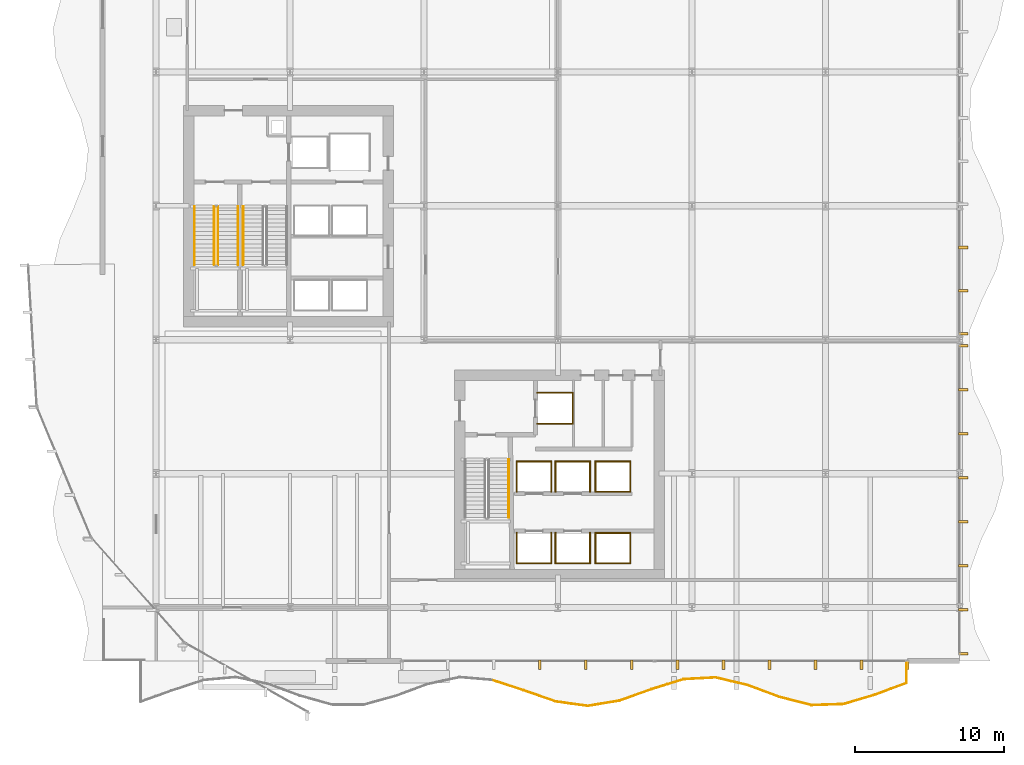
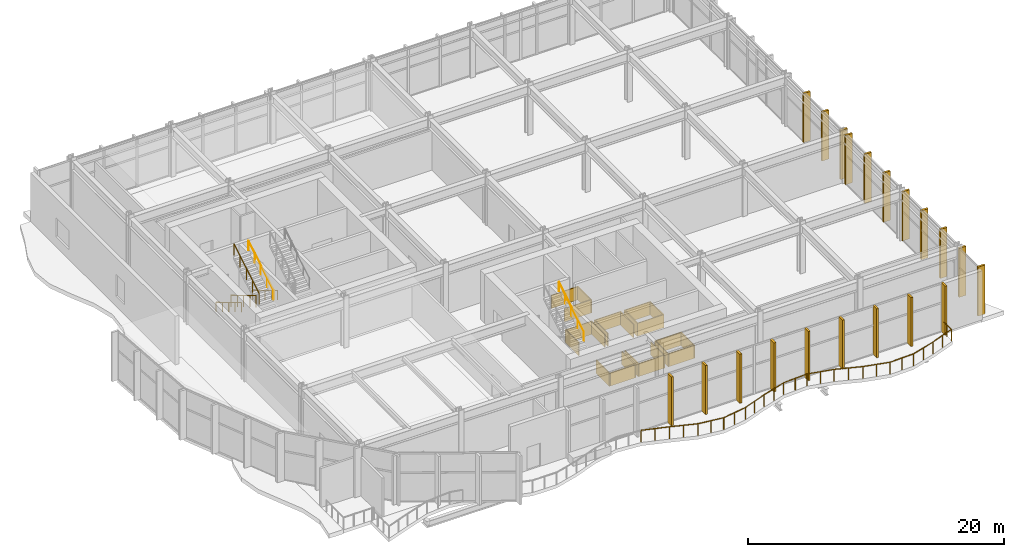
# One storey, part 25 of 28: 43 coverings, 20 railings.
"""IFC4 building model written with IfcOpenShell, lengths in metres."""

from ifc_helpers import new_model, si_unit, direction, frame, origin, origin_2d, place, context, subcontext, project, spatial, rectangle, circle, extrude, material, layer, layer_set, type_object, element, save


model = new_model("IFC4")

# Units and contexts
model_context = context("Model", 3, precision=1e-05, world=origin(), true_north=direction((0.0, 1.0)))
body_context = subcontext(model_context, "Body", "Model", "MODEL_VIEW")
ifc_project = project(units=[si_unit("LENGTHUNIT", "METRE"), si_unit("AREAUNIT", "SQUARE_METRE"), si_unit("VOLUMEUNIT", "CUBIC_METRE"), si_unit("PLANEANGLEUNIT", "RADIAN"), si_unit("MASSUNIT", "GRAM", prefix="KILO")], contexts=[model_context])

# Site, building, storey
site_placement = place(None, origin())
site = spatial("IfcSite", under=ifc_project, at=site_placement, CompositionType="ELEMENT")
building_placement = place(site_placement, origin())
building = spatial("IfcBuilding", under=site, at=building_placement, Name="Solvaryn Broadcast Tower", CompositionType="ELEMENT")
storey_placement = place(building_placement, frame((0.0, 0.0, 16.199951171875)))
storey = spatial("IfcBuildingStorey", under=building, at=storey_placement, Name="L03", CompositionType="ELEMENT", Elevation=16.199951171875)

# Coverings
ifc_material_1 = material(Name="Fire-Rated Gypsum Shaftwall Liner", Category="concrete")
ifc_layer_1 = layer(ifc_material_1, 0.080078125)
ifc_layer_set_1 = layer_set([ifc_layer_1], Name="CV-SHAFT-LINER")
covering_type_1 = type_object("IfcCoveringType", Name="CV-SHAFT-LINER", PredefinedType="CLADDING", material=ifc_layer_set_1)
for number, where, z_axis, x_axis, name in (
    (1, (35.800048828125, 23.43994140625, 0.0), (0.0, 0.0, 1.0), (1.0, 0.0, 0.0), "L03 FL2 Hoistway Shaft Liner North"),
    (2, (35.800048828125, 21.360107421875, 0.0), (0.0, 0.0, 1.0), (1.0, 0.0, 0.0), "L03 FL2 Hoistway Shaft Liner South"),
):
    element("IfcCovering", number, at=place(storey_placement, frame(where, z_axis=z_axis, x_axis=x_axis)), inside=storey, type_object=covering_type_1, Name=name, PredefinedType="CLADDING", context=body_context, shape_type="SweptSolid", body=[
        extrude(rectangle(XDim=2.4599609375, YDim=0.080078125, at=origin_2d()), origin(), (0.0, 0.0, 1.0), 1.25),
    ])
covering_1_placement = place(storey_placement, frame((36.989990234375, 22.39990234375, 0.0), z_axis=(0.0, 0.0, 1.0), x_axis=(1.0, 0.0, 0.0)))
element("IfcCovering", 3, at=covering_1_placement, inside=storey, type_object=covering_type_1, Name="L03 FL2 Hoistway Shaft Liner East", PredefinedType="CLADDING", context=body_context, shape_type="SweptSolid", body=[
    extrude(rectangle(XDim=0.080078125, YDim=2.159912109375, at=origin_2d()), origin(), (0.0, 0.0, 1.0), 1.25),
])
covering_2_placement = place(storey_placement, frame((34.39990234375, 11.985107421875, 0.0), z_axis=(0.0, 0.0, 1.0), x_axis=(1.0, 0.0, 0.0)))
element("IfcCovering", 4, at=covering_2_placement, inside=storey, type_object=covering_type_1, Name="L03 PL1 Hoistway Shaft Liner South", PredefinedType="CLADDING", context=body_context, shape_type="SweptSolid", body=[
    extrude(rectangle(XDim=2.409912109375, YDim=0.080078125, at=origin_2d()), origin(), (0.0, 0.0, 1.0), 1.25),
])
for number, where, z_axis, x_axis, name in (
    (5, (35.56494140625, 13.0, 0.0), (0.0, 0.0, 1.0), (1.0, 0.0, 0.0), "L03 PL1 Hoistway Shaft Liner East"),
    (6, (33.235107421875, 13.0, 0.0), (0.0, 0.0, 1.0), (1.0, 0.0, 0.0), "L03 PL1 Hoistway Shaft Liner West"),
):
    element("IfcCovering", number, at=place(storey_placement, frame(where, z_axis=z_axis, x_axis=x_axis)), inside=storey, type_object=covering_type_1, Name=name, PredefinedType="CLADDING", context=body_context, shape_type="SweptSolid", body=[
        extrude(rectangle(XDim=0.080078125, YDim=2.110107421875, at=origin_2d()), origin(), (0.0, 0.0, 1.0), 1.25),
    ])
covering_3_placement = place(storey_placement, frame((37.0, 11.985107421875, 0.0), z_axis=(0.0, 0.0, 1.0), x_axis=(1.0, 0.0, 0.0)))
element("IfcCovering", 7, at=covering_3_placement, inside=storey, type_object=covering_type_1, Name="L03 PL2 Hoistway Shaft Liner South", PredefinedType="CLADDING", context=body_context, shape_type="SweptSolid", body=[
    extrude(rectangle(XDim=2.409912109375, YDim=0.080078125, at=origin_2d()), origin(), (0.0, 0.0, 1.0), 1.25),
])
for number, where, z_axis, x_axis, name in (
    (8, (38.1650390625, 13.0, 0.0), (0.0, 0.0, 1.0), (1.0, 0.0, 0.0), "L03 PL2 Hoistway Shaft Liner East"),
    (9, (35.8349609375, 13.0, 0.0), (0.0, 0.0, 1.0), (1.0, 0.0, 0.0), "L03 PL2 Hoistway Shaft Liner West"),
):
    element("IfcCovering", number, at=place(storey_placement, frame(where, z_axis=z_axis, x_axis=x_axis)), inside=storey, type_object=covering_type_1, Name=name, PredefinedType="CLADDING", context=body_context, shape_type="SweptSolid", body=[
        extrude(rectangle(XDim=0.080078125, YDim=2.110107421875, at=origin_2d()), origin(), (0.0, 0.0, 1.0), 1.25),
    ])
covering_4_placement = place(storey_placement, frame((34.39990234375, 18.81494140625, 0.0), z_axis=(0.0, 0.0, 1.0), x_axis=(1.0, 0.0, 0.0)))
element("IfcCovering", 10, at=covering_4_placement, inside=storey, type_object=covering_type_1, Name="L03 PL3 Hoistway Shaft Liner North", PredefinedType="CLADDING", context=body_context, shape_type="SweptSolid", body=[
    extrude(rectangle(XDim=2.409912109375, YDim=0.080078125, at=origin_2d()), origin(), (0.0, 0.0, 1.0), 1.25),
])
for number, where, z_axis, x_axis, name in (
    (11, (35.56494140625, 17.800048828125, 0.0), (0.0, 0.0, 1.0), (1.0, 0.0, 0.0), "L03 PL3 Hoistway Shaft Liner East"),
    (12, (33.235107421875, 17.800048828125, 0.0), (0.0, 0.0, 1.0), (1.0, 0.0, 0.0), "L03 PL3 Hoistway Shaft Liner West"),
):
    element("IfcCovering", number, at=place(storey_placement, frame(where, z_axis=z_axis, x_axis=x_axis)), inside=storey, type_object=covering_type_1, Name=name, PredefinedType="CLADDING", context=body_context, shape_type="SweptSolid", body=[
        extrude(rectangle(XDim=0.080078125, YDim=2.110107421875, at=origin_2d()), origin(), (0.0, 0.0, 1.0), 1.25),
    ])
covering_5_placement = place(storey_placement, frame((37.0, 18.81494140625, 0.0), z_axis=(0.0, 0.0, 1.0), x_axis=(1.0, 0.0, 0.0)))
element("IfcCovering", 13, at=covering_5_placement, inside=storey, type_object=covering_type_1, Name="L03 PL4 Hoistway Shaft Liner North", PredefinedType="CLADDING", context=body_context, shape_type="SweptSolid", body=[
    extrude(rectangle(XDim=2.409912109375, YDim=0.080078125, at=origin_2d()), origin(), (0.0, 0.0, 1.0), 1.25),
])
for number, where, z_axis, x_axis, name in (
    (14, (38.1650390625, 17.800048828125, 0.0), (0.0, 0.0, 1.0), (1.0, 0.0, 0.0), "L03 PL4 Hoistway Shaft Liner East"),
    (15, (35.8349609375, 17.800048828125, 0.0), (0.0, 0.0, 1.0), (1.0, 0.0, 0.0), "L03 PL4 Hoistway Shaft Liner West"),
):
    element("IfcCovering", number, at=place(storey_placement, frame(where, z_axis=z_axis, x_axis=x_axis)), inside=storey, type_object=covering_type_1, Name=name, PredefinedType="CLADDING", context=body_context, shape_type="SweptSolid", body=[
        extrude(rectangle(XDim=0.080078125, YDim=2.110107421875, at=origin_2d()), origin(), (0.0, 0.0, 1.0), 1.25),
    ])
for number, where, z_axis, x_axis, name in (
    (16, (39.699951171875, 14.014892578125, 0.0), (0.0, 0.0, 1.0), (1.0, 0.0, 0.0), "L03 PM1 Hoistway Shaft Liner North"),
    (17, (39.699951171875, 11.985107421875, 0.0), (0.0, 0.0, 1.0), (1.0, 0.0, 0.0), "L03 PM1 Hoistway Shaft Liner South"),
):
    element("IfcCovering", number, at=place(storey_placement, frame(where, z_axis=z_axis, x_axis=x_axis)), inside=storey, type_object=covering_type_1, Name=name, PredefinedType="CLADDING", context=body_context, shape_type="SweptSolid", body=[
        extrude(rectangle(XDim=2.409912109375, YDim=0.080078125, at=origin_2d()), origin(), (0.0, 0.0, 1.0), 1.25),
    ])
for number, where, z_axis, x_axis, name in (
    (18, (40.864990234375, 13.0, 0.0), (0.0, 0.0, 1.0), (1.0, 0.0, 0.0), "L03 PM1 Hoistway Shaft Liner East"),
    (19, (38.534912109375, 13.0, 0.0), (0.0, 0.0, 1.0), (1.0, 0.0, 0.0), "L03 PM1 Hoistway Shaft Liner West"),
):
    element("IfcCovering", number, at=place(storey_placement, frame(where, z_axis=z_axis, x_axis=x_axis)), inside=storey, type_object=covering_type_1, Name=name, PredefinedType="CLADDING", context=body_context, shape_type="SweptSolid", body=[
        extrude(rectangle(XDim=0.080078125, YDim=2.110107421875, at=origin_2d()), origin(), (0.0, 0.0, 1.0), 1.25),
    ])
for number, where, z_axis, x_axis, name in (
    (20, (39.699951171875, 18.81494140625, 0.0), (0.0, 0.0, 1.0), (1.0, 0.0, 0.0), "L03 PM2 Hoistway Shaft Liner North"),
    (21, (39.699951171875, 16.784912109375, 0.0), (0.0, 0.0, 1.0), (1.0, 0.0, 0.0), "L03 PM2 Hoistway Shaft Liner South"),
):
    element("IfcCovering", number, at=place(storey_placement, frame(where, z_axis=z_axis, x_axis=x_axis)), inside=storey, type_object=covering_type_1, Name=name, PredefinedType="CLADDING", context=body_context, shape_type="SweptSolid", body=[
        extrude(rectangle(XDim=2.409912109375, YDim=0.080078125, at=origin_2d()), origin(), (0.0, 0.0, 1.0), 1.25),
    ])
for number, where, z_axis, x_axis, name in (
    (22, (40.864990234375, 17.800048828125, 0.0), (0.0, 0.0, 1.0), (1.0, 0.0, 0.0), "L03 PM2 Hoistway Shaft Liner East"),
    (23, (38.534912109375, 17.800048828125, 0.0), (0.0, 0.0, 1.0), (1.0, 0.0, 0.0), "L03 PM2 Hoistway Shaft Liner West"),
):
    element("IfcCovering", number, at=place(storey_placement, frame(where, z_axis=z_axis, x_axis=x_axis)), inside=storey, type_object=covering_type_1, Name=name, PredefinedType="CLADDING", context=body_context, shape_type="SweptSolid", body=[
        extrude(rectangle(XDim=0.080078125, YDim=2.110107421875, at=origin_2d()), origin(), (0.0, 0.0, 1.0), 1.25),
    ])
ifc_material_2 = material(Name="Extruded Architectural Terracotta Fin", Category="masonry")
ifc_layer_2 = layer(ifc_material_2, 0.179931640625)
ifc_layer_set_2 = layer_set([ifc_layer_2], Name="CV-TC-FIN")
covering_type_2 = type_object("IfcCoveringType", Name="CV-TC-FIN", PredefinedType="USERDEFINED", material=ifc_layer_set_2)
for number, where, z_axis, x_axis, name in (
    (24, (59.5, 5.14990234375, 0.0), (0.0, 0.0, 1.0), (1.0, 0.0, 0.0), "L03 Terracotta Vertical Fin FIN-POD-L03-S1-00"),
    (25, (56.4091796875, 5.14990234375, 0.0), (0.0, 0.0, 1.0), (1.0, 0.0, 0.0), "L03 Terracotta Vertical Fin FIN-POD-L03-S1-01"),
    (26, (53.318115234375, 5.14990234375, 0.0), (0.0, 0.0, 1.0), (1.0, 0.0, 0.0), "L03 Terracotta Vertical Fin FIN-POD-L03-S1-02"),
    (27, (50.227294921875, 5.14990234375, 0.0), (0.0, 0.0, 1.0), (1.0, 0.0, 0.0), "L03 Terracotta Vertical Fin FIN-POD-L03-S1-03"),
    (28, (47.136474609375, 5.14990234375, 0.0), (0.0, 0.0, 1.0), (1.0, 0.0, 0.0), "L03 Terracotta Vertical Fin FIN-POD-L03-S1-04"),
    (29, (44.04541015625, 5.14990234375, 0.0), (0.0, 0.0, 1.0), (1.0, 0.0, 0.0), "L03 Terracotta Vertical Fin FIN-POD-L03-S1-05"),
    (30, (40.95458984375, 5.14990234375, 0.0), (0.0, 0.0, 1.0), (1.0, 0.0, 0.0), "L03 Terracotta Vertical Fin FIN-POD-L03-S1-06"),
    (31, (37.863525390625, 5.14990234375, 0.0), (0.0, 0.0, 1.0), (1.0, 0.0, 0.0), "L03 Terracotta Vertical Fin FIN-POD-L03-S1-07"),
    (32, (34.772705078125, 5.14990234375, 0.0), (0.0, 0.0, 1.0), (1.0, 0.0, 0.0), "L03 Terracotta Vertical Fin FIN-POD-L03-S1-08"),
):
    element("IfcCovering", number, at=place(storey_placement, frame(where, z_axis=z_axis, x_axis=x_axis)), inside=storey, type_object=covering_type_2, Name=name, ObjectType="FIN", PredefinedType="USERDEFINED", context=body_context, shape_type="SweptSolid", body=[
        extrude(rectangle(XDim=0.179931640625, YDim=0.6201171875, at=origin_2d()), origin(), (0.0, 0.0, 1.0), 4.679931640625),
    ])
for number, where, z_axis, x_axis, name in (
    (33, (63.25, 33.199951171875, 0.0), (0.0, 0.0, 1.0), (1.0, 0.0, 0.0), "L03 Terracotta Vertical Fin FIN-POD-L03-E1-07"),
    (34, (63.25, 30.300048828125, 0.0), (0.0, 0.0, 1.0), (1.0, 0.0, 0.0), "L03 Terracotta Vertical Fin FIN-POD-L03-E1-08"),
    (35, (63.25, 27.39990234375, 0.0), (0.0, 0.0, 1.0), (1.0, 0.0, 0.0), "L03 Terracotta Vertical Fin FIN-POD-L03-E1-09"),
    (36, (63.25, 26.60009765625, 0.0), (0.0, 0.0, 1.0), (1.0, 0.0, 0.0), "L03 Terracotta Vertical Fin FIN-POD-L03-E2-00"),
    (37, (63.25, 23.642822265625, 0.0), (0.0, 0.0, 1.0), (1.0, 0.0, 0.0), "L03 Terracotta Vertical Fin FIN-POD-L03-E2-01"),
    (38, (63.25, 20.685791015625, 0.0), (0.0, 0.0, 1.0), (1.0, 0.0, 0.0), "L03 Terracotta Vertical Fin FIN-POD-L03-E2-02"),
    (39, (63.25, 17.728515625, 0.0), (0.0, 0.0, 1.0), (1.0, 0.0, 0.0), "L03 Terracotta Vertical Fin FIN-POD-L03-E2-03"),
    (40, (63.25, 14.771484375, 0.0), (0.0, 0.0, 1.0), (1.0, 0.0, 0.0), "L03 Terracotta Vertical Fin FIN-POD-L03-E2-04"),
    (41, (63.25, 11.814208984375, 0.0), (0.0, 0.0, 1.0), (1.0, 0.0, 0.0), "L03 Terracotta Vertical Fin FIN-POD-L03-E2-05"),
    (42, (63.25, 8.857177734375, 0.0), (0.0, 0.0, 1.0), (1.0, 0.0, 0.0), "L03 Terracotta Vertical Fin FIN-POD-L03-E2-06"),
    (43, (63.25, 5.89990234375, 0.0), (0.0, 0.0, 1.0), (1.0, 0.0, 0.0), "L03 Terracotta Vertical Fin FIN-POD-L03-E2-07"),
):
    element("IfcCovering", number, at=place(storey_placement, frame(where, z_axis=z_axis, x_axis=x_axis)), inside=storey, type_object=covering_type_2, Name=name, ObjectType="FIN", PredefinedType="USERDEFINED", context=body_context, shape_type="SweptSolid", body=[
        extrude(rectangle(XDim=0.6201171875, YDim=0.179931640625, at=origin_2d()), origin(), (0.0, 0.0, 1.0), 4.679931640625),
    ])

# Railings
ifc_material_3 = material(Name="Painted Steel Stair Well Guard", Category="steel")
railing_type_1 = type_object("IfcRailingType", Name="RL-STAIR-GUARD", PredefinedType="BALUSTRADE", material=ifc_material_3)
railing_1_placement = place(storey_placement, frame((12.909912109375, 35.9599609375, 0.166748046875)))
element("IfcRailing", 44, at=railing_1_placement, inside=storey, type_object=railing_type_1, Name="L03 ST1 stair guard 1", PredefinedType="BALUSTRADE", context=body_context, shape_type="SweptSolid", body=[
    extrude(circle(Radius=0.02392578125, at=origin_2d()), frame((0.0, 0.0, 1.076171875), z_axis=(0.0, -0.859296244711, 0.511478214419), x_axis=(1.0, 0.0, 0.0)), (0.0, 0.0, 1.0), 4.561767578125),
    extrude(circle(Radius=0.02099609375, at=origin_2d()), origin(), (0.0, 0.0, 1.0), 1.052001953125),
    extrude(circle(Radius=0.02099609375, at=origin_2d()), frame((0.0, -0.97998046875, 0.583251953125)), (0.0, 0.0, 1.0), 1.052001953125),
    extrude(circle(Radius=0.02099609375, at=origin_2d()), frame((0.0, -1.9599609375, 1.16650390625)), (0.0, 0.0, 1.0), 1.052001953125),
    extrude(circle(Radius=0.02099609375, at=origin_2d()), frame((0.0, -2.93994140625, 1.75)), (0.0, 0.0, 1.0), 1.052001953125),
    extrude(circle(Radius=0.02099609375, at=origin_2d()), frame((0.0, -3.919921875, 2.333251953125)), (0.0, 0.0, 1.0), 1.052001953125),
])
railing_2_placement = place(storey_placement, frame((13.159912109375, 32.0400390625, 2.666748046875)))
element("IfcRailing", 45, at=railing_2_placement, inside=storey, type_object=railing_type_1, Name="L03 ST1 stair guard 3", PredefinedType="BALUSTRADE", context=body_context, shape_type="SweptSolid", body=[
    extrude(circle(Radius=0.02392578125, at=origin_2d()), frame((0.0, 0.0, 1.076171875), z_axis=(0.0, 0.859296244711, 0.511478214419), x_axis=(-1.0, 0.0, 0.0)), (0.0, 0.0, 1.0), 4.561767578125),
    extrude(circle(Radius=0.02099609375, at=origin_2d()), origin(), (0.0, 0.0, 1.0), 1.052001953125),
    extrude(circle(Radius=0.02099609375, at=origin_2d()), frame((0.0, 0.97998046875, 0.583251953125)), (0.0, 0.0, 1.0), 1.052001953125),
    extrude(circle(Radius=0.02099609375, at=origin_2d()), frame((0.0, 1.9599609375, 1.16650390625)), (0.0, 0.0, 1.0), 1.052001953125),
    extrude(circle(Radius=0.02099609375, at=origin_2d()), frame((0.0, 2.93994140625, 1.75)), (0.0, 0.0, 1.0), 1.052001953125),
    extrude(circle(Radius=0.02099609375, at=origin_2d()), frame((0.0, 3.919921875, 2.333251953125)), (0.0, 0.0, 1.0), 1.052001953125),
])
ifc_material_4 = material(Name="Brushed Stainless Steel Tubular Handrail", Category="steel")
railing_type_2 = type_object("IfcRailingType", Name="RL-STAIR-HANDRAIL", PredefinedType="HANDRAIL", material=ifc_material_4)
railing_3_placement = place(storey_placement, frame((11.570068359375, 35.9599609375, 0.166748046875)))
element("IfcRailing", 46, at=railing_3_placement, inside=storey, type_object=railing_type_2, Name="L03 ST1 stair handrail 1", PredefinedType="HANDRAIL", context=body_context, shape_type="SweptSolid", body=[
    extrude(circle(Radius=0.02392578125, at=origin_2d()), frame((0.0, 0.0, 0.8759765625), z_axis=(0.0, -0.859296244711, 0.511478214419), x_axis=(1.0, 0.0, 0.0)), (0.0, 0.0, 1.0), 4.561767578125),
    extrude(circle(Radius=0.02099609375, at=origin_2d()), origin(), (0.0, 0.0, 1.0), 0.851806640625),
    extrude(circle(Radius=0.02099609375, at=origin_2d()), frame((0.0, -0.97998046875, 0.583251953125)), (0.0, 0.0, 1.0), 0.851806640625),
    extrude(circle(Radius=0.02099609375, at=origin_2d()), frame((0.0, -1.9599609375, 1.16650390625)), (0.0, 0.0, 1.0), 0.851806640625),
    extrude(circle(Radius=0.02099609375, at=origin_2d()), frame((0.0, -2.93994140625, 1.75)), (0.0, 0.0, 1.0), 0.851806640625),
    extrude(circle(Radius=0.02099609375, at=origin_2d()), frame((0.0, -3.919921875, 2.333251953125)), (0.0, 0.0, 1.0), 0.851806640625),
])
railing_4_placement = place(storey_placement, frame((14.5, 32.0400390625, 2.666748046875)))
element("IfcRailing", 47, at=railing_4_placement, inside=storey, type_object=railing_type_2, Name="L03 ST1 stair handrail 2", PredefinedType="HANDRAIL", context=body_context, shape_type="SweptSolid", body=[
    extrude(circle(Radius=0.02392578125, at=origin_2d()), frame((0.0, 0.0, 0.8759765625), z_axis=(0.0, 0.859296244711, 0.511478214419), x_axis=(-1.0, 0.0, 0.0)), (0.0, 0.0, 1.0), 4.561767578125),
    extrude(circle(Radius=0.02099609375, at=origin_2d()), origin(), (0.0, 0.0, 1.0), 0.851806640625),
    extrude(circle(Radius=0.02099609375, at=origin_2d()), frame((0.0, 0.97998046875, 0.583251953125)), (0.0, 0.0, 1.0), 0.851806640625),
    extrude(circle(Radius=0.02099609375, at=origin_2d()), frame((0.0, 1.9599609375, 1.16650390625)), (0.0, 0.0, 1.0), 0.851806640625),
    extrude(circle(Radius=0.02099609375, at=origin_2d()), frame((0.0, 2.93994140625, 1.75)), (0.0, 0.0, 1.0), 0.851806640625),
    extrude(circle(Radius=0.02099609375, at=origin_2d()), frame((0.0, 3.919921875, 2.333251953125)), (0.0, 0.0, 1.0), 0.851806640625),
])
railing_5_placement = place(storey_placement, frame((14.85009765625, 35.9599609375, 0.166748046875)))
element("IfcRailing", 48, at=railing_5_placement, inside=storey, type_object=railing_type_2, Name="L03 ST2 stair handrail 1", PredefinedType="HANDRAIL", context=body_context, shape_type="SweptSolid", body=[
    extrude(circle(Radius=0.02392578125, at=origin_2d()), frame((0.0, 0.0, 0.8759765625), z_axis=(0.0, -0.859296244711, 0.511478214419), x_axis=(1.0, 0.0, 0.0)), (0.0, 0.0, 1.0), 4.561767578125),
    extrude(circle(Radius=0.02099609375, at=origin_2d()), origin(), (0.0, 0.0, 1.0), 0.851806640625),
    extrude(circle(Radius=0.02099609375, at=origin_2d()), frame((0.0, -0.97998046875, 0.583251953125)), (0.0, 0.0, 1.0), 0.851806640625),
    extrude(circle(Radius=0.02099609375, at=origin_2d()), frame((0.0, -1.9599609375, 1.16650390625)), (0.0, 0.0, 1.0), 0.851806640625),
    extrude(circle(Radius=0.02099609375, at=origin_2d()), frame((0.0, -2.93994140625, 1.75)), (0.0, 0.0, 1.0), 0.851806640625),
    extrude(circle(Radius=0.02099609375, at=origin_2d()), frame((0.0, -3.919921875, 2.333251953125)), (0.0, 0.0, 1.0), 0.851806640625),
])
railing_6_placement = place(storey_placement, frame((32.699951171875, 15.0400390625, 2.666748046875)))
element("IfcRailing", 49, at=railing_6_placement, inside=storey, type_object=railing_type_2, Name="L03 ST3 stair handrail 2", PredefinedType="HANDRAIL", context=body_context, shape_type="SweptSolid", body=[
    extrude(circle(Radius=0.02392578125, at=origin_2d()), frame((0.0, 0.0, 0.8759765625), z_axis=(0.0, 0.859296244711, 0.511478214419), x_axis=(-1.0, 0.0, 0.0)), (0.0, 0.0, 1.0), 4.561767578125),
    extrude(circle(Radius=0.02099609375, at=origin_2d()), origin(), (0.0, 0.0, 1.0), 0.851806640625),
    extrude(circle(Radius=0.02099609375, at=origin_2d()), frame((0.0, 0.97998046875, 0.583251953125)), (0.0, 0.0, 1.0), 0.851806640625),
    extrude(circle(Radius=0.02099609375, at=origin_2d()), frame((0.0, 1.9599609375, 1.16650390625)), (0.0, 0.0, 1.0), 0.851806640625),
    extrude(circle(Radius=0.02099609375, at=origin_2d()), frame((0.0, 2.93994140625, 1.75)), (0.0, 0.0, 1.0), 0.851806640625),
    extrude(circle(Radius=0.02099609375, at=origin_2d()), frame((0.0, 3.919921875, 2.333251953125)), (0.0, 0.0, 1.0), 0.851806640625),
])
ifc_material_5 = material(Name="Stainless Steel and Laminated Glass Guard", Category="steel")
railing_type_3 = type_object("IfcRailingType", Name="RL-TER-1150", PredefinedType="BALUSTRADE", material=ifc_material_5)
railing_7_placement = place(storey_placement, frame((31.550048828125, 4.137451171875, 0.0)))
element("IfcRailing", 50, at=railing_7_placement, inside=storey, type_object=railing_type_3, Name="L03 Terrace Guard TS03S-13", PredefinedType="BALUSTRADE", context=body_context, shape_type="SweptSolid", body=[
    extrude(circle(Radius=0.02392578125, at=origin_2d()), frame((0.0, 0.0, 1.1259765625), z_axis=(0.950746441139, -0.309969683456, 0.0), x_axis=(0.309969683456, 0.950746441139, 0.0)), (0.0, 0.0, 1.0), 2.26123046875),
    extrude(circle(Radius=0.02099609375, at=origin_2d()), origin(), (0.0, 0.0, 1.0), 1.101806640625),
    extrude(circle(Radius=0.02099609375, at=origin_2d()), frame((1.074951171875, -0.3505859375, 0.0)), (0.0, 0.0, 1.0), 1.101806640625),
    extrude(circle(Radius=0.02099609375, at=origin_2d()), frame((2.14990234375, -0.700927734375, 0.0)), (0.0, 0.0, 1.0), 1.101806640625),
])
railing_8_placement = place(storey_placement, frame((33.699951171875, 3.4365234375, 0.0)))
element("IfcRailing", 51, at=railing_8_placement, inside=storey, type_object=railing_type_3, Name="L03 Terrace Guard TS03S-14", PredefinedType="BALUSTRADE", context=body_context, shape_type="SweptSolid", body=[
    extrude(circle(Radius=0.02392578125, at=origin_2d()), frame((0.0, 0.0, 1.1259765625), z_axis=(0.943873393038, -0.330307459673, 0.0), x_axis=(0.330307459673, 0.943873393038, 0.0)), (0.0, 0.0, 1.0), 2.278076171875),
    extrude(circle(Radius=0.02099609375, at=origin_2d()), origin(), (0.0, 0.0, 1.0), 1.101806640625),
    extrude(circle(Radius=0.02099609375, at=origin_2d()), frame((1.0751953125, -0.376220703125, 0.0)), (0.0, 0.0, 1.0), 1.101806640625),
    extrude(circle(Radius=0.02099609375, at=origin_2d()), frame((2.150146484375, -0.75244140625, 0.0)), (0.0, 0.0, 1.0), 1.101806640625),
])
railing_9_placement = place(storey_placement, frame((35.85009765625, 2.68408203125, 0.0)))
element("IfcRailing", 52, at=railing_9_placement, inside=storey, type_object=railing_type_3, Name="L03 Terrace Guard TS03S-15", PredefinedType="BALUSTRADE", context=body_context, shape_type="SweptSolid", body=[
    extrude(circle(Radius=0.02392578125, at=origin_2d()), frame((0.0, 0.0, 1.1259765625), z_axis=(0.990508444532, -0.137451887261, 0.0), x_axis=(0.137451887261, 0.990508444532, 0.0)), (0.0, 0.0, 1.0), 2.17041015625),
    extrude(circle(Radius=0.02099609375, at=origin_2d()), origin(), (0.0, 0.0, 1.0), 1.101806640625),
    extrude(circle(Radius=0.02099609375, at=origin_2d()), frame((1.074951171875, -0.149169921875, 0.0)), (0.0, 0.0, 1.0), 1.101806640625),
    extrude(circle(Radius=0.02099609375, at=origin_2d()), frame((2.14990234375, -0.29833984375, 0.0)), (0.0, 0.0, 1.0), 1.101806640625),
])
railing_10_placement = place(storey_placement, frame((38.0, 2.3857421875, 0.0)))
element("IfcRailing", 53, at=railing_10_placement, inside=storey, type_object=railing_type_3, Name="L03 Terrace Guard TS03S-16", PredefinedType="BALUSTRADE", context=body_context, shape_type="SweptSolid", body=[
    extrude(circle(Radius=0.02392578125, at=origin_2d()), frame((0.0, 0.0, 1.1259765625), z_axis=(0.986587030124, 0.163236123426, 0.0), x_axis=(-0.163236123426, 0.986587030124, 0.0)), (0.0, 0.0, 1.0), 2.17919921875),
    extrude(circle(Radius=0.02099609375, at=origin_2d()), origin(), (0.0, 0.0, 1.0), 1.101806640625),
    extrude(circle(Radius=0.02099609375, at=origin_2d()), frame((1.074951171875, 0.177734375, 0.0)), (0.0, 0.0, 1.0), 1.101806640625),
    extrude(circle(Radius=0.02099609375, at=origin_2d()), frame((2.14990234375, 0.355712890625, 0.0)), (0.0, 0.0, 1.0), 1.101806640625),
])
railing_11_placement = place(storey_placement, frame((40.14990234375, 2.741455078125, 0.0)))
element("IfcRailing", 54, at=railing_11_placement, inside=storey, type_object=railing_type_3, Name="L03 Terrace Guard TS03S-17", PredefinedType="BALUSTRADE", context=body_context, shape_type="SweptSolid", body=[
    extrude(circle(Radius=0.02392578125, at=origin_2d()), frame((0.0, 0.0, 1.1259765625), z_axis=(0.941313135887, 0.3375345615, 0.0), x_axis=(-0.3375345615, 0.941313135887, 0.0)), (0.0, 0.0, 1.0), 2.2841796875),
    extrude(circle(Radius=0.02099609375, at=origin_2d()), origin(), (0.0, 0.0, 1.0), 1.101806640625),
    extrude(circle(Radius=0.02099609375, at=origin_2d()), frame((1.0751953125, 0.385498046875, 0.0)), (0.0, 0.0, 1.0), 1.101806640625),
    extrude(circle(Radius=0.02099609375, at=origin_2d()), frame((2.150146484375, 0.77099609375, 0.0)), (0.0, 0.0, 1.0), 1.101806640625),
])
railing_12_placement = place(storey_placement, frame((42.300048828125, 3.512451171875, 0.0)))
element("IfcRailing", 55, at=railing_12_placement, inside=storey, type_object=railing_type_3, Name="L03 Terrace Guard TS03S-18", PredefinedType="BALUSTRADE", context=body_context, shape_type="SweptSolid", body=[
    extrude(circle(Radius=0.02392578125, at=origin_2d()), frame((0.0, 0.0, 1.1259765625), z_axis=(0.95487659614, 0.297002838613, 0.0), x_axis=(-0.297002838613, 0.95487659614, 0.0)), (0.0, 0.0, 1.0), 2.25146484375),
    extrude(circle(Radius=0.02099609375, at=origin_2d()), origin(), (0.0, 0.0, 1.0), 1.101806640625),
    extrude(circle(Radius=0.02099609375, at=origin_2d()), frame((1.074951171875, 0.33447265625, 0.0)), (0.0, 0.0, 1.0), 1.101806640625),
    extrude(circle(Radius=0.02099609375, at=origin_2d()), frame((2.14990234375, 0.668701171875, 0.0)), (0.0, 0.0, 1.0), 1.101806640625),
])
railing_13_placement = place(storey_placement, frame((44.449951171875, 4.18115234375, 0.0)))
element("IfcRailing", 56, at=railing_13_placement, inside=storey, type_object=railing_type_3, Name="L03 Terrace Guard TS03S-19", PredefinedType="BALUSTRADE", context=body_context, shape_type="SweptSolid", body=[
    extrude(circle(Radius=0.02392578125, at=origin_2d()), frame((0.0, 0.0, 1.1259765625), z_axis=(0.99851806125, 0.054421331827, 0.0), x_axis=(-0.054421331827, 0.99851806125, 0.0)), (0.0, 0.0, 1.0), 2.1533203125),
    extrude(circle(Radius=0.02099609375, at=origin_2d()), origin(), (0.0, 0.0, 1.0), 1.101806640625),
    extrude(circle(Radius=0.02099609375, at=origin_2d()), frame((1.0751953125, 0.05859375, 0.0)), (0.0, 0.0, 1.0), 1.101806640625),
    extrude(circle(Radius=0.02099609375, at=origin_2d()), frame((2.150146484375, 0.1171875, 0.0)), (0.0, 0.0, 1.0), 1.101806640625),
])
railing_14_placement = place(storey_placement, frame((46.60009765625, 4.29833984375, 0.0)))
element("IfcRailing", 57, at=railing_14_placement, inside=storey, type_object=railing_type_3, Name="L03 Terrace Guard TS03S-20", PredefinedType="BALUSTRADE", context=body_context, shape_type="SweptSolid", body=[
    extrude(circle(Radius=0.02392578125, at=origin_2d()), frame((0.0, 0.0, 1.1259765625), z_axis=(0.972698258035, -0.23207347719, 0.0), x_axis=(0.23207347719, 0.972698258035, 0.0)), (0.0, 0.0, 1.0), 2.210205078125),
    extrude(circle(Radius=0.02099609375, at=origin_2d()), origin(), (0.0, 0.0, 1.0), 1.101806640625),
    extrude(circle(Radius=0.02099609375, at=origin_2d()), frame((1.074951171875, -0.25634765625, 0.0)), (0.0, 0.0, 1.0), 1.101806640625),
    extrude(circle(Radius=0.02099609375, at=origin_2d()), frame((2.14990234375, -0.512939453125, 0.0)), (0.0, 0.0, 1.0), 1.101806640625),
])
railing_15_placement = place(storey_placement, frame((48.75, 3.785400390625, 0.0)))
element("IfcRailing", 58, at=railing_15_placement, inside=storey, type_object=railing_type_3, Name="L03 Terrace Guard TS03S-21", PredefinedType="BALUSTRADE", context=body_context, shape_type="SweptSolid", body=[
    extrude(circle(Radius=0.02392578125, at=origin_2d()), frame((0.0, 0.0, 1.1259765625), z_axis=(0.937418322646, -0.348205238857, 0.0), x_axis=(0.348205238857, 0.937418322646, 0.0)), (0.0, 0.0, 1.0), 2.29345703125),
    extrude(circle(Radius=0.02099609375, at=origin_2d()), origin(), (0.0, 0.0, 1.0), 1.101806640625),
    extrude(circle(Radius=0.02099609375, at=origin_2d()), frame((1.074951171875, -0.3994140625, 0.0)), (0.0, 0.0, 1.0), 1.101806640625),
    extrude(circle(Radius=0.02099609375, at=origin_2d()), frame((2.14990234375, -0.798583984375, 0.0)), (0.0, 0.0, 1.0), 1.101806640625),
])
railing_16_placement = place(storey_placement, frame((50.89990234375, 2.98681640625, 0.0)))
element("IfcRailing", 59, at=railing_16_placement, inside=storey, type_object=railing_type_3, Name="L03 Terrace Guard TS03S-22", PredefinedType="BALUSTRADE", context=body_context, shape_type="SweptSolid", body=[
    extrude(circle(Radius=0.02392578125, at=origin_2d()), frame((0.0, 0.0, 1.1259765625), z_axis=(0.969012469794, -0.247011808185, 0.0), x_axis=(0.247011808185, 0.969012469794, 0.0)), (0.0, 0.0, 1.0), 2.218994140625),
    extrude(circle(Radius=0.02099609375, at=origin_2d()), origin(), (0.0, 0.0, 1.0), 1.101806640625),
    extrude(circle(Radius=0.02099609375, at=origin_2d()), frame((1.0751953125, -0.27392578125, 0.0)), (0.0, 0.0, 1.0), 1.101806640625),
    extrude(circle(Radius=0.02099609375, at=origin_2d()), frame((2.150146484375, -0.548095703125, 0.0)), (0.0, 0.0, 1.0), 1.101806640625),
])
railing_17_placement = place(storey_placement, frame((53.050048828125, 2.438720703125, 0.0)))
element("IfcRailing", 60, at=railing_17_placement, inside=storey, type_object=railing_type_3, Name="L03 Terrace Guard TS03S-23", PredefinedType="BALUSTRADE", context=body_context, shape_type="SweptSolid", body=[
    extrude(circle(Radius=0.02392578125, at=origin_2d()), frame((0.0, 0.0, 1.1259765625), z_axis=(0.99946190658, 0.032800873382, 0.0), x_axis=(-0.032800873382, 0.99946190658, 0.0)), (0.0, 0.0, 1.0), 2.151123046875),
    extrude(circle(Radius=0.02099609375, at=origin_2d()), origin(), (0.0, 0.0, 1.0), 1.101806640625),
    extrude(circle(Radius=0.02099609375, at=origin_2d()), frame((1.074951171875, 0.03515625, 0.0)), (0.0, 0.0, 1.0), 1.101806640625),
    extrude(circle(Radius=0.02099609375, at=origin_2d()), frame((2.14990234375, 0.070556640625, 0.0)), (0.0, 0.0, 1.0), 1.101806640625),
])
railing_18_placement = place(storey_placement, frame((55.199951171875, 2.50927734375, 0.0)))
element("IfcRailing", 61, at=railing_18_placement, inside=storey, type_object=railing_type_3, Name="L03 Terrace Guard TS03S-24", PredefinedType="BALUSTRADE", context=body_context, shape_type="SweptSolid", body=[
    extrude(circle(Radius=0.02392578125, at=origin_2d()), frame((0.0, 0.0, 1.1259765625), z_axis=(0.958247495184, 0.285940095077, 0.0), x_axis=(-0.285940095077, 0.958247495184, 0.0)), (0.0, 0.0, 1.0), 2.243896484375),
    extrude(circle(Radius=0.02099609375, at=origin_2d()), origin(), (0.0, 0.0, 1.0), 1.101806640625),
    extrude(circle(Radius=0.02099609375, at=origin_2d()), frame((1.0751953125, 0.32080078125, 0.0)), (0.0, 0.0, 1.0), 1.101806640625),
    extrude(circle(Radius=0.02099609375, at=origin_2d()), frame((2.150146484375, 0.6416015625, 0.0)), (0.0, 0.0, 1.0), 1.101806640625),
])
railing_19_placement = place(storey_placement, frame((57.35009765625, 3.15087890625, 0.0)))
element("IfcRailing", 62, at=railing_19_placement, inside=storey, type_object=railing_type_3, Name="L03 Terrace Guard TS03S-25", PredefinedType="BALUSTRADE", context=body_context, shape_type="SweptSolid", body=[
    extrude(circle(Radius=0.02392578125, at=origin_2d()), frame((0.0, 0.0, 1.1259765625), z_axis=(0.936544822058, 0.350547851621, 0.0), x_axis=(-0.350547851621, 0.936544822058, 0.0)), (0.0, 0.0, 1.0), 2.2314453125),
    extrude(circle(Radius=0.02099609375, at=origin_2d()), origin(), (0.0, 0.0, 1.0), 1.101806640625),
    extrude(circle(Radius=0.02099609375, at=origin_2d()), frame((1.044921875, 0.39111328125, 0.0)), (0.0, 0.0, 1.0), 1.101806640625),
    extrude(circle(Radius=0.02099609375, at=origin_2d()), frame((2.08984375, 0.7822265625, 0.0)), (0.0, 0.0, 1.0), 1.101806640625),
])
railing_20_placement = place(storey_placement, frame((59.43994140625, 3.93310546875, 0.0)))
element("IfcRailing", 63, at=railing_20_placement, inside=storey, type_object=railing_type_3, Name="L03 Terrace Guard TS03S-26", PredefinedType="BALUSTRADE", context=body_context, shape_type="SweptSolid", body=[
    extrude(circle(Radius=0.02392578125, at=origin_2d()), frame((0.0, 0.0, 1.1259765625), z_axis=(0.0, 1.0, 0.0), x_axis=(-1.0, 0.0, 0.0)), (0.0, 0.0, 1.0), 1.406982421875),
    extrude(circle(Radius=0.02099609375, at=origin_2d()), origin(), (0.0, 0.0, 1.0), 1.101806640625),
    extrude(circle(Radius=0.02099609375, at=origin_2d()), frame((0.0, 0.70361328125, 0.0)), (0.0, 0.0, 1.0), 1.101806640625),
    extrude(circle(Radius=0.02099609375, at=origin_2d()), frame((0.0, 1.406982421875, 0.0)), (0.0, 0.0, 1.0), 1.101806640625),
])

save(model, "model.ifc")
